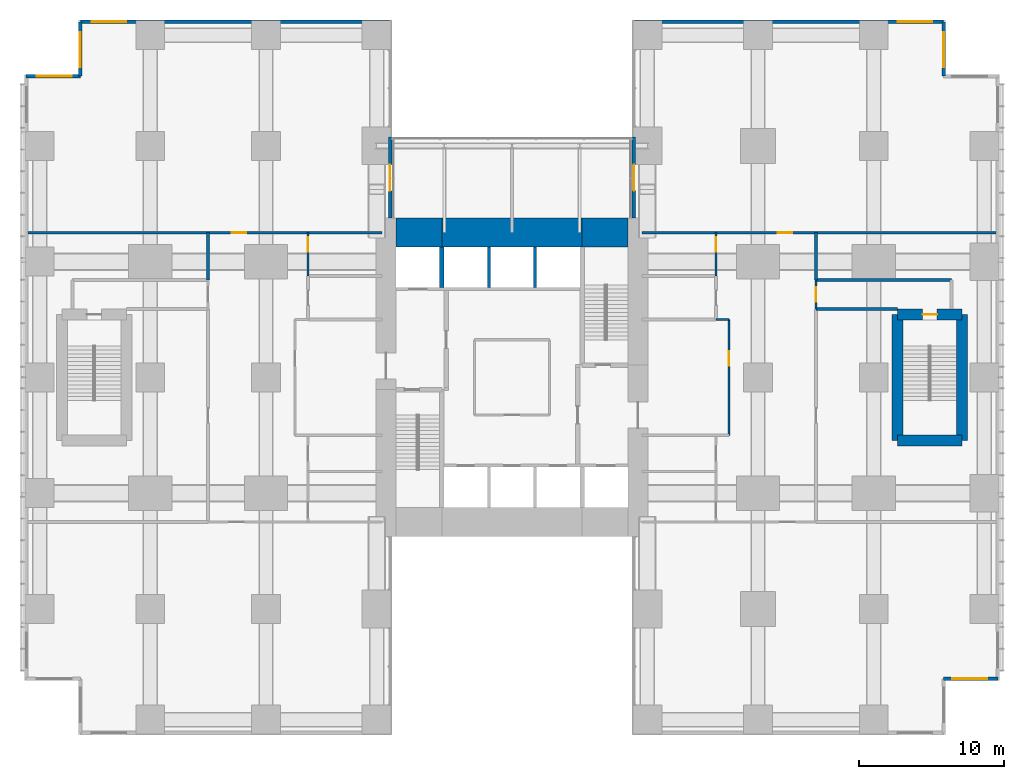
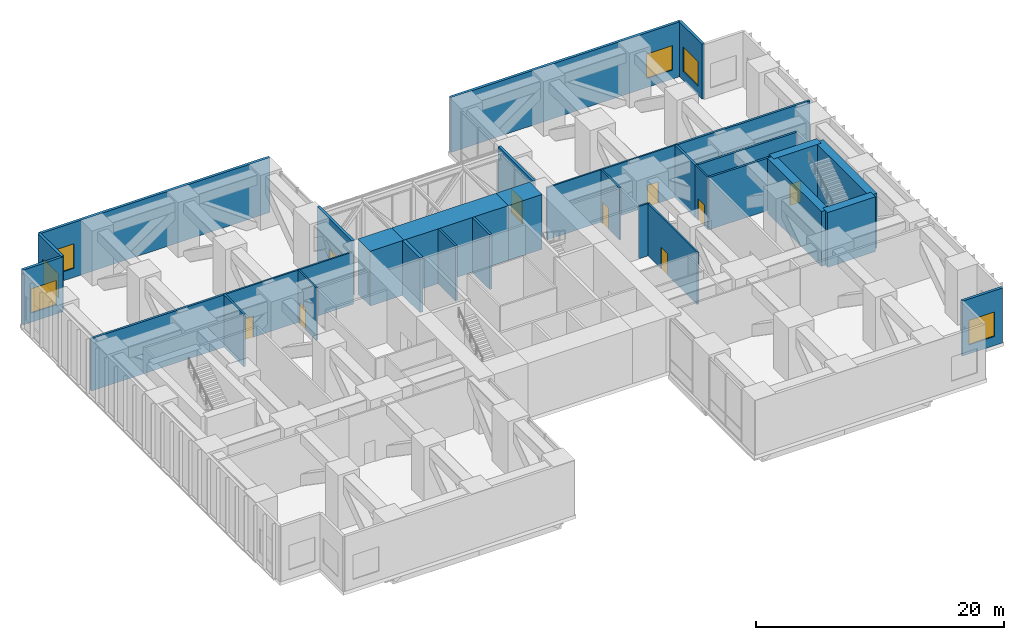
# One storey, part 15 of 17: 31 walls, 9 doors, 6 windows, 15 openings.
"""IFC4 building model written with IfcOpenShell, lengths in metres."""

from ifc_helpers import new_model, si_unit, direction, frame, frame_2d, origin, place, context, subcontext, project, spatial, rectangle, extrude, material, layer, layer_set, type_object, element, fill, save


model = new_model("IFC4")

# Units and contexts
model_context = context("Model", 3, precision=1e-05, world=origin(), true_north=direction((0.0, 1.0)))
body_context = subcontext(model_context, "Body", "Model", "MODEL_VIEW")
ifc_project = project(units=[si_unit("LENGTHUNIT", "METRE"), si_unit("AREAUNIT", "SQUARE_METRE"), si_unit("VOLUMEUNIT", "CUBIC_METRE"), si_unit("PLANEANGLEUNIT", "RADIAN"), si_unit("MASSUNIT", "GRAM", prefix="KILO")], contexts=[model_context])

# Site, building, storey
site_placement = place(None, origin())
site = spatial("IfcSite", under=ifc_project, at=site_placement, CompositionType="ELEMENT")
building_placement = place(site_placement, origin())
building = spatial("IfcBuilding", under=site, at=building_placement, Name="Cleftline Residences", CompositionType="ELEMENT")
storey_placement = place(building_placement, frame((0.0, 0.0, 90.800048828125)))
storey = spatial("IfcBuildingStorey", under=building, at=storey_placement, Name="L23", CompositionType="ELEMENT", Elevation=90.800048828125)

# Walls
ifc_material_1 = material(Name="Concrete B70", Category="concrete")
ifc_layer_1 = layer(ifc_material_1, 2.0)
ifc_layer_set_1 = layer_set([ifc_layer_1], Name="CORE WALL 2000")
wall_type_1 = type_object("IfcWallType", Name="CORE WALL 2000", PredefinedType="SHEAR", material=ifc_layer_set_1)
wall_1_placement = place(storey_placement, frame((25.0, 34.0, 0.0), z_axis=(0.0, 0.0, 1.0), x_axis=(1.0, 0.0, 0.0)))
element("IfcWall", 1, at=wall_1_placement, inside=storey, type_object=wall_type_1, Name="Core wall N1", PredefinedType="SHEAR", context=body_context, shape_type="SweptSolid", body=[
    extrude(rectangle(XDim=3.14990234375, YDim=2.0, at=frame_2d((1.574951171875, 0.0))), origin(), (0.0, 0.0, 1.0), 5.39990234375),
])
wall_2_placement = place(storey_placement, frame((28.14990234375, 34.0, 0.0), z_axis=(0.0, 0.0, 1.0), x_axis=(1.0, 0.0, 0.0)))
element("IfcWall", 2, at=wall_2_placement, inside=storey, type_object=wall_type_1, Name="Core wall N2", PredefinedType="SHEAR", context=body_context, shape_type="SweptSolid", body=[
    extrude(rectangle(XDim=9.7001953125, YDim=2.0, at=frame_2d((4.85009765625, 0.0))), origin(), (0.0, 0.0, 1.0), 5.39990234375),
])
wall_3_placement = place(storey_placement, frame((37.85009765625, 34.0, 0.0), z_axis=(0.0, 0.0, 1.0), x_axis=(1.0, 0.0, 0.0)))
element("IfcWall", 3, at=wall_3_placement, inside=storey, type_object=wall_type_1, Name="Core wall N3", PredefinedType="SHEAR", context=body_context, shape_type="SweptSolid", body=[
    extrude(rectangle(XDim=3.14990234375, YDim=2.0, at=frame_2d((1.574951171875, 0.0))), origin(), (0.0, 0.0, 1.0), 5.39990234375),
])
ifc_material_2 = material(Name="Concrete B70", Category="concrete")
ifc_layer_2 = layer(ifc_material_2, 0.300048828125)
ifc_layer_set_2 = layer_set([ifc_layer_2], Name="CORE WALL 300")
wall_type_2 = type_object("IfcWallType", Name="CORE WALL 300", PredefinedType="SHEAR", material=ifc_layer_set_2)
wall_4_placement = place(storey_placement, frame((28.14990234375, 30.199951171875, 0.0), z_axis=(0.0, 0.0, 1.0), x_axis=(0.0, 1.0, 0.0)))
element("IfcWall", 4, at=wall_4_placement, inside=storey, type_object=wall_type_2, Name="Lift shaft wall", PredefinedType="SHEAR", context=body_context, shape_type="SweptSolid", body=[
    extrude(rectangle(XDim=2.800048828125, YDim=0.300048828125, at=frame_2d((1.39990234375, 0.0))), origin(), (0.0, 0.0, 1.0), 5.39990234375),
])

# Wall, opening, window
ifc_material_3 = material(Name="Rendered reinforced concrete blockwork", Category="masonry")
ifc_layer_3 = layer(ifc_material_3, 0.25)
ifc_layer_set_3 = layer_set([ifc_layer_3], Name="EXTERNAL WALL 250")
wall_type_3 = type_object("IfcWallType", Name="EXTERNAL WALL 250", PredefinedType="SOLIDWALL", material=ifc_layer_set_3)
wall_5_placement = place(storey_placement, frame((62.824951171875, 3.175048828125, 0.0), z_axis=(0.0, 0.0, 1.0), x_axis=(1.0, 0.0, 0.0)))
wall_5 = element("IfcWall", 5, at=wall_5_placement, inside=storey, type_object=wall_type_3, Name="External wall", PredefinedType="SOLIDWALL", context=body_context, shape_type="SweptSolid", body=[
    extrude(rectangle(XDim=3.75, YDim=0.25, at=frame_2d((1.875, 0.0))), origin(), (0.0, 0.0, 1.0), 5.39990234375),
])
opening_1_placement = place(wall_5_placement, frame((0.612548828125, 0.0, 0.89990234375)))
opening_1 = element("IfcOpeningElement", 6, at=opening_1_placement, cuts=wall_5, Name="Opening W9", PredefinedType="OPENING", context=body_context, shape_type="SweptSolid", body=[
    extrude(rectangle(XDim=2.39990234375, YDim=2.39990234375, at=frame_2d((1.199951171875, 1.199951171875))), frame((0.0, 0.135009765625, 0.0), z_axis=(0.0, -1.0, 0.0), x_axis=(1.0, 0.0, 0.0)), (0.0, 0.0, 1.0), 0.27001953125),
])
ifc_material_4 = material(Name="Aluminium frame, clear double glazing", Category="aluminium")
window_type = type_object("IfcWindowType", Name="WINDOW 2400X2400", PartitioningType="DOUBLE_PANEL_VERTICAL", PredefinedType="WINDOW", material=ifc_material_4)
window_1_placement = place(opening_1_placement, origin())
window_1 = element("IfcWindow", 7, at=window_1_placement, inside=storey, type_object=window_type, Name="Window", OverallHeight=2.39990234375, OverallWidth=2.39990234375, PartitioningType="SINGLE_PANEL", PredefinedType="WINDOW", context=body_context, shape_type="SweptSolid", body=[
    extrude(rectangle(XDim=2.39990234375, YDim=2.39990234375, at=frame_2d((1.199951171875, 1.199951171875))), frame((0.0, 0.030029296875, 0.0), z_axis=(0.0, -1.0, 0.0), x_axis=(1.0, 0.0, 0.0)), (0.0, 0.0, 1.0), 0.06005859375),
])
fill(opening_1, window_1)

wall_6_placement = place(storey_placement, frame((62.824951171875, 44.824951171875, 0.0), z_axis=(0.0, 0.0, 1.0), x_axis=(0.0, 1.0, 0.0)))
wall_6 = element("IfcWall", 8, at=wall_6_placement, inside=storey, type_object=wall_type_3, Name="External wall", PredefinedType="SOLIDWALL", context=body_context, shape_type="SweptSolid", body=[
    extrude(rectangle(XDim=3.75, YDim=0.25, at=frame_2d((1.875, 0.0))), origin(), (0.0, 0.0, 1.0), 5.39990234375),
])
opening_2_placement = place(wall_6_placement, frame((0.612548828125, 0.0, 0.89990234375)))
opening_2 = element("IfcOpeningElement", 9, at=opening_2_placement, cuts=wall_6, Name="Opening W9", PredefinedType="OPENING", context=body_context, shape_type="SweptSolid", body=[
    extrude(rectangle(XDim=2.39990234375, YDim=2.39990234375, at=frame_2d((1.199951171875, 1.199951171875))), frame((0.0, 0.135009765625, 0.0), z_axis=(0.0, -1.0, 0.0), x_axis=(1.0, 0.0, 0.0)), (0.0, 0.0, 1.0), 0.27001953125),
])
window_2_placement = place(opening_2_placement, origin())
window_2 = element("IfcWindow", 10, at=window_2_placement, inside=storey, type_object=window_type, Name="Window", OverallHeight=2.39990234375, OverallWidth=2.39990234375, PartitioningType="SINGLE_PANEL", PredefinedType="WINDOW", context=body_context, shape_type="SweptSolid", body=[
    extrude(rectangle(XDim=2.39990234375, YDim=2.39990234375, at=frame_2d((1.199951171875, 1.199951171875))), frame((0.0, 0.030029296875, 0.0), z_axis=(0.0, -1.0, 0.0), x_axis=(1.0, 0.0, 0.0)), (0.0, 0.0, 1.0), 0.06005859375),
])
fill(opening_2, window_2)

wall_7_placement = place(storey_placement, frame((62.824951171875, 48.574951171875, 0.0), z_axis=(0.0, 0.0, 1.0), x_axis=(-1.0, 0.0, 0.0)))
wall_7 = element("IfcWall", 11, at=wall_7_placement, inside=storey, type_object=wall_type_3, Name="External wall", PredefinedType="SOLIDWALL", context=body_context, shape_type="SweptSolid", body=[
    extrude(rectangle(XDim=21.39990234375, YDim=0.25, at=frame_2d((10.699951171875, 0.0))), origin(), (0.0, 0.0, 1.0), 5.39990234375),
])
opening_3_placement = place(wall_7_placement, frame((0.77490234375, 0.0, 0.89990234375)))
opening_3 = element("IfcOpeningElement", 12, at=opening_3_placement, cuts=wall_7, Name="Opening W9", PredefinedType="OPENING", context=body_context, shape_type="SweptSolid", body=[
    extrude(rectangle(XDim=2.39990234375, YDim=2.39990234375, at=frame_2d((1.199951171875, 1.199951171875))), frame((0.0, 0.135009765625, 0.0), z_axis=(0.0, -1.0, 0.0), x_axis=(1.0, 0.0, 0.0)), (0.0, 0.0, 1.0), 0.27001953125),
])
window_3_placement = place(opening_3_placement, origin())
window_3 = element("IfcWindow", 13, at=window_3_placement, inside=storey, type_object=window_type, Name="Window", OverallHeight=2.39990234375, OverallWidth=2.39990234375, PartitioningType="SINGLE_PANEL", PredefinedType="WINDOW", context=body_context, shape_type="SweptSolid", body=[
    extrude(rectangle(XDim=2.39990234375, YDim=2.39990234375, at=frame_2d((1.199951171875, 1.199951171875))), frame((0.0, 0.030029296875, 0.0), z_axis=(0.0, -1.0, 0.0), x_axis=(1.0, 0.0, 0.0)), (0.0, 0.0, 1.0), 0.06005859375),
])
fill(opening_3, window_3)

# Wall, opening, door
wall_8_placement = place(storey_placement, frame((41.425048828125, 40.60009765625, 0.0), z_axis=(0.0, 0.0, 1.0), x_axis=(0.0, -1.0, 0.0)))
wall_8 = element("IfcWall", 14, at=wall_8_placement, inside=storey, type_object=wall_type_3, Name="External wall", PredefinedType="SOLIDWALL", context=body_context, shape_type="SweptSolid", body=[
    extrude(rectangle(XDim=5.60009765625, YDim=0.25, at=frame_2d((2.800048828125, 0.0))), origin(), (0.0, 0.0, 1.0), 5.39990234375),
])
opening_4_placement = place(wall_8_placement, frame((1.89990234375, 0.0, 0.0)))
opening_4 = element("IfcOpeningElement", 15, at=opening_4_placement, cuts=wall_8, Name="Opening DB1", PredefinedType="OPENING", context=body_context, shape_type="SweptSolid", body=[
    extrude(rectangle(XDim=1.800048828125, YDim=2.39990234375, at=frame_2d((0.89990234375, 1.199951171875))), frame((0.0, 0.135009765625, 0.0), z_axis=(0.0, -1.0, 0.0), x_axis=(1.0, 0.0, 0.0)), (0.0, 0.0, 1.0), 0.27001953125),
])
ifc_material_5 = material(Name="Steel and glass, fire rated", Category="steel")
door_type_1 = type_object("IfcDoorType", Name="BRIDGE DOOR 1800X2400", OperationType="DOUBLE_DOOR_DOUBLE_SWING", PredefinedType="DOOR", material=ifc_material_5)
door_1_placement = place(opening_4_placement, origin())
door_1 = element("IfcDoor", 16, at=door_1_placement, inside=storey, type_object=door_type_1, Name="Sky bridge door", OperationType="DOUBLE_DOOR_DOUBLE_SWING", OverallHeight=2.39990234375, OverallWidth=1.800048828125, PredefinedType="DOOR", context=body_context, shape_type="SweptSolid", body=[
    extrude(rectangle(XDim=1.800048828125, YDim=2.39990234375, at=frame_2d((0.89990234375, 1.199951171875))), frame((0.0, 0.02490234375, 0.0), z_axis=(0.0, -1.0, 0.0), x_axis=(1.0, 0.0, 0.0)), (0.0, 0.0, 1.0), 0.050048828125),
])
fill(opening_4, door_1)

wall_9_placement = place(storey_placement, frame((24.574951171875, 35.0, 0.0), z_axis=(0.0, 0.0, 1.0), x_axis=(0.0, 1.0, 0.0)))
wall_9 = element("IfcWall", 17, at=wall_9_placement, inside=storey, type_object=wall_type_3, Name="External wall", PredefinedType="SOLIDWALL", context=body_context, shape_type="SweptSolid", body=[
    extrude(rectangle(XDim=5.60009765625, YDim=0.25, at=frame_2d((2.800048828125, 0.0))), origin(), (0.0, 0.0, 1.0), 5.39990234375),
])
opening_5_placement = place(wall_9_placement, frame((1.89990234375, 0.0, 0.0)))
opening_5 = element("IfcOpeningElement", 18, at=opening_5_placement, cuts=wall_9, Name="Opening DB1", PredefinedType="OPENING", context=body_context, shape_type="SweptSolid", body=[
    extrude(rectangle(XDim=1.800048828125, YDim=2.39990234375, at=frame_2d((0.89990234375, 1.199951171875))), frame((0.0, 0.135009765625, 0.0), z_axis=(0.0, -1.0, 0.0), x_axis=(1.0, 0.0, 0.0)), (0.0, 0.0, 1.0), 0.27001953125),
])
door_2_placement = place(opening_5_placement, origin())
door_2 = element("IfcDoor", 19, at=door_2_placement, inside=storey, type_object=door_type_1, Name="Sky bridge door", OperationType="DOUBLE_DOOR_DOUBLE_SWING", OverallHeight=2.39990234375, OverallWidth=1.800048828125, PredefinedType="DOOR", context=body_context, shape_type="SweptSolid", body=[
    extrude(rectangle(XDim=1.800048828125, YDim=2.39990234375, at=frame_2d((0.89990234375, 1.199951171875))), frame((0.0, 0.02490234375, 0.0), z_axis=(0.0, -1.0, 0.0), x_axis=(1.0, 0.0, 0.0)), (0.0, 0.0, 1.0), 0.050048828125),
])
fill(opening_5, door_2)

# Wall, opening, window
wall_10_placement = place(storey_placement, frame((24.574951171875, 48.574951171875, 0.0), z_axis=(0.0, 0.0, 1.0), x_axis=(-1.0, 0.0, 0.0)))
wall_10 = element("IfcWall", 20, at=wall_10_placement, inside=storey, type_object=wall_type_3, Name="External wall", PredefinedType="SOLIDWALL", context=body_context, shape_type="SweptSolid", body=[
    extrude(rectangle(XDim=21.39990234375, YDim=0.25, at=frame_2d((10.699951171875, 0.0))), origin(), (0.0, 0.0, 1.0), 5.39990234375),
])
opening_6_placement = place(wall_10_placement, frame((18.22509765625, 0.0, 0.89990234375)))
opening_6 = element("IfcOpeningElement", 21, at=opening_6_placement, cuts=wall_10, Name="Opening W9", PredefinedType="OPENING", context=body_context, shape_type="SweptSolid", body=[
    extrude(rectangle(XDim=2.39990234375, YDim=2.39990234375, at=frame_2d((1.199951171875, 1.199951171875))), frame((0.0, 0.135009765625, 0.0), z_axis=(0.0, -1.0, 0.0), x_axis=(1.0, 0.0, 0.0)), (0.0, 0.0, 1.0), 0.27001953125),
])
window_4_placement = place(opening_6_placement, origin())
window_4 = element("IfcWindow", 22, at=window_4_placement, inside=storey, type_object=window_type, Name="Window", OverallHeight=2.39990234375, OverallWidth=2.39990234375, PartitioningType="SINGLE_PANEL", PredefinedType="WINDOW", context=body_context, shape_type="SweptSolid", body=[
    extrude(rectangle(XDim=2.39990234375, YDim=2.39990234375, at=frame_2d((1.199951171875, 1.199951171875))), frame((0.0, 0.030029296875, 0.0), z_axis=(0.0, -1.0, 0.0), x_axis=(1.0, 0.0, 0.0)), (0.0, 0.0, 1.0), 0.06005859375),
])
fill(opening_6, window_4)

wall_11_placement = place(storey_placement, frame((3.175048828125, 48.574951171875, 0.0), z_axis=(0.0, 0.0, 1.0), x_axis=(0.0, -1.0, 0.0)))
wall_11 = element("IfcWall", 23, at=wall_11_placement, inside=storey, type_object=wall_type_3, Name="External wall", PredefinedType="SOLIDWALL", context=body_context, shape_type="SweptSolid", body=[
    extrude(rectangle(XDim=3.75, YDim=0.25, at=frame_2d((1.875, 0.0))), origin(), (0.0, 0.0, 1.0), 5.39990234375),
])
opening_7_placement = place(wall_11_placement, frame((0.737548828125, 0.0, 0.89990234375)))
opening_7 = element("IfcOpeningElement", 24, at=opening_7_placement, cuts=wall_11, Name="Opening W9", PredefinedType="OPENING", context=body_context, shape_type="SweptSolid", body=[
    extrude(rectangle(XDim=2.39990234375, YDim=2.39990234375, at=frame_2d((1.199951171875, 1.199951171875))), frame((0.0, 0.135009765625, 0.0), z_axis=(0.0, -1.0, 0.0), x_axis=(1.0, 0.0, 0.0)), (0.0, 0.0, 1.0), 0.27001953125),
])
window_5_placement = place(opening_7_placement, origin())
window_5 = element("IfcWindow", 25, at=window_5_placement, inside=storey, type_object=window_type, Name="Window", OverallHeight=2.39990234375, OverallWidth=2.39990234375, PartitioningType="SINGLE_PANEL", PredefinedType="WINDOW", context=body_context, shape_type="SweptSolid", body=[
    extrude(rectangle(XDim=2.39990234375, YDim=2.39990234375, at=frame_2d((1.199951171875, 1.199951171875))), frame((0.0, 0.030029296875, 0.0), z_axis=(0.0, -1.0, 0.0), x_axis=(1.0, 0.0, 0.0)), (0.0, 0.0, 1.0), 0.06005859375),
])
fill(opening_7, window_5)

wall_12_placement = place(storey_placement, frame((3.175048828125, 44.824951171875, 0.0), z_axis=(0.0, 0.0, 1.0), x_axis=(-1.0, 0.0, 0.0)))
wall_12 = element("IfcWall", 26, at=wall_12_placement, inside=storey, type_object=wall_type_3, Name="External wall", PredefinedType="SOLIDWALL", context=body_context, shape_type="SweptSolid", body=[
    extrude(rectangle(XDim=3.75, YDim=0.25, at=frame_2d((1.875, 0.0))), origin(), (0.0, 0.0, 1.0), 5.39990234375),
])
opening_8_placement = place(wall_12_placement, frame((0.612548828125, 0.0, 0.89990234375)))
opening_8 = element("IfcOpeningElement", 27, at=opening_8_placement, cuts=wall_12, Name="Opening W9", PredefinedType="OPENING", context=body_context, shape_type="SweptSolid", body=[
    extrude(rectangle(XDim=2.39990234375, YDim=2.39990234375, at=frame_2d((1.199951171875, 1.199951171875))), frame((0.0, 0.135009765625, 0.0), z_axis=(0.0, -1.0, 0.0), x_axis=(1.0, 0.0, 0.0)), (0.0, 0.0, 1.0), 0.27001953125),
])
window_6_placement = place(opening_8_placement, origin())
window_6 = element("IfcWindow", 28, at=window_6_placement, inside=storey, type_object=window_type, Name="Window", OverallHeight=2.39990234375, OverallWidth=2.39990234375, PartitioningType="SINGLE_PANEL", PredefinedType="WINDOW", context=body_context, shape_type="SweptSolid", body=[
    extrude(rectangle(XDim=2.39990234375, YDim=2.39990234375, at=frame_2d((1.199951171875, 1.199951171875))), frame((0.0, 0.030029296875, 0.0), z_axis=(0.0, -1.0, 0.0), x_axis=(1.0, 0.0, 0.0)), (0.0, 0.0, 1.0), 0.06005859375),
])
fill(opening_8, window_6)

# Walls
ifc_material_6 = material(Name="Concrete blockwork, fire rated", Category="masonry")
ifc_layer_4 = layer(ifc_material_6, 0.199951171875)
ifc_layer_set_4 = layer_set([ifc_layer_4], Name="FIRE WALL 200")
wall_type_4 = type_object("IfcWallType", Name="FIRE WALL 200", PredefinedType="PARTITIONING", material=ifc_layer_set_4)
wall_13_placement = place(storey_placement, frame((54.0, 28.72509765625, 0.0), z_axis=(0.0, 0.0, 1.0), x_axis=(1.0, 0.0, 0.0)))
element("IfcWall", 29, at=wall_13_placement, inside=storey, type_object=wall_type_4, Name="Fire separating wall", PredefinedType="PARTITIONING", context=body_context, shape_type="SweptSolid", body=[
    extrude(rectangle(XDim=5.64990234375, YDim=0.199951171875, at=frame_2d((2.824951171875, 0.0))), origin(), (0.0, 0.0, 1.0), 5.14990234375),
])
wall_14_placement = place(storey_placement, frame((54.0, 30.72509765625, 0.0), z_axis=(0.0, 0.0, 1.0), x_axis=(1.0, 0.0, 0.0)))
element("IfcWall", 30, at=wall_14_placement, inside=storey, type_object=wall_type_4, Name="Fire separating wall", PredefinedType="PARTITIONING", context=body_context, shape_type="SweptSolid", body=[
    extrude(rectangle(XDim=9.375, YDim=0.199951171875, at=frame_2d((4.6875, 0.0))), origin(), (0.0, 0.0, 1.0), 5.14990234375),
])
for number, where, z_axis, x_axis, name in (
    (31, (-0.449951171875, 34.0, 0.0), (0.0, 0.0, 1.0), (1.0, 0.0, 0.0), "Fire separating wall"),
    (32, (54.0, 34.0, 0.0), (0.0, 0.0, 1.0), (1.0, 0.0, 0.0), "Fire separating wall"),
):
    element("IfcWall", number, at=place(storey_placement, frame(where, z_axis=z_axis, x_axis=x_axis)), inside=storey, type_object=wall_type_4, Name=name, PredefinedType="PARTITIONING", context=body_context, shape_type="SweptSolid", body=[
        extrude(rectangle(XDim=12.449951171875, YDim=0.199951171875, at=frame_2d((6.22509765625, 0.0))), origin(), (0.0, 0.0, 1.0), 5.14990234375),
    ])
for number, where, z_axis, x_axis, name in (
    (33, (12.0, 30.72509765625, 0.0), (0.0, 0.0, 1.0), (0.0, 1.0, 0.0), "Fire separating wall"),
    (34, (54.0, 30.72509765625, 0.0), (0.0, 0.0, 1.0), (0.0, 1.0, 0.0), "Fire separating wall"),
):
    element("IfcWall", number, at=place(storey_placement, frame(where, z_axis=z_axis, x_axis=x_axis)), inside=storey, type_object=wall_type_4, Name=name, PredefinedType="PARTITIONING", context=body_context, shape_type="SweptSolid", body=[
        extrude(rectangle(XDim=3.27490234375, YDim=0.199951171875, at=frame_2d((1.637451171875, 0.0))), origin(), (0.0, 0.0, 1.0), 5.14990234375),
    ])
ifc_material_7 = material(Name="Gypsum board on steel studs", Category="steel")
ifc_layer_5 = layer(ifc_material_7, 0.14990234375)
ifc_layer_set_5 = layer_set([ifc_layer_5], Name="PARTITION 150")
wall_type_5 = type_object("IfcWallType", Name="PARTITION 150", PredefinedType="PARTITIONING", material=ifc_layer_set_5)
wall_15_placement = place(storey_placement, frame((47.10009765625, 28.0, 0.0), z_axis=(0.0, 0.0, 1.0), x_axis=(1.0, 0.0, 0.0)))
element("IfcWall", 35, at=wall_15_placement, inside=storey, type_object=wall_type_5, Name="Partition", PredefinedType="PARTITIONING", context=body_context, shape_type="SweptSolid", body=[
    extrude(rectangle(XDim=0.89990234375, YDim=0.14990234375, at=frame_2d((0.449951171875, 0.0))), origin(), (0.0, 0.0, 1.0), 5.14990234375),
])

# Wall, opening, door
wall_16_placement = place(storey_placement, frame((12.0, 34.0, 0.0), z_axis=(0.0, 0.0, 1.0), x_axis=(1.0, 0.0, 0.0)))
wall_16 = element("IfcWall", 36, at=wall_16_placement, inside=storey, type_object=wall_type_5, Name="Partition", PredefinedType="PARTITIONING", context=body_context, shape_type="SweptSolid", body=[
    extrude(rectangle(XDim=12.0, YDim=0.14990234375, at=frame_2d((6.0, 0.0))), origin(), (0.0, 0.0, 1.0), 5.14990234375),
])
opening_9_placement = place(wall_16_placement, frame((1.64990234375, 0.0, 0.0)))
opening_9 = element("IfcOpeningElement", 37, at=opening_9_placement, cuts=wall_16, Name="Opening D2F60", PredefinedType="OPENING", context=body_context, shape_type="SweptSolid", body=[
    extrude(rectangle(XDim=1.0, YDim=2.10009765625, at=frame_2d((0.5, 1.050048828125))), frame((0.0, 0.0849609375, 0.0), z_axis=(0.0, -1.0, 0.0), x_axis=(1.0, 0.0, 0.0)), (0.0, 0.0, 1.0), 0.169921875),
])
ifc_material_8 = material(Name="Timber veneer on solid core", Category="wood")
door_type_2 = type_object("IfcDoorType", Name="DOOR 1000X2100 EI 60", OperationType="SINGLE_SWING_LEFT", PredefinedType="DOOR", material=ifc_material_8)
door_3_placement = place(opening_9_placement, origin())
door_3 = element("IfcDoor", 38, at=door_3_placement, inside=storey, type_object=door_type_2, Name="Door to refuge area", OperationType="SINGLE_SWING_RIGHT", OverallHeight=2.10009765625, OverallWidth=1.0, PredefinedType="DOOR", context=body_context, shape_type="SweptSolid", body=[
    extrude(rectangle(XDim=1.0, YDim=2.10009765625, at=frame_2d((0.5, 1.050048828125))), frame((0.0, 0.02490234375, 0.0), z_axis=(0.0, -1.0, 0.0), x_axis=(1.0, 0.0, 0.0)), (0.0, 0.0, 1.0), 0.050048828125),
])
fill(opening_9, door_3)

wall_17_placement = place(storey_placement, frame((42.0, 34.0, 0.0), z_axis=(0.0, 0.0, 1.0), x_axis=(1.0, 0.0, 0.0)))
wall_17 = element("IfcWall", 39, at=wall_17_placement, inside=storey, type_object=wall_type_5, Name="Partition", PredefinedType="PARTITIONING", context=body_context, shape_type="SweptSolid", body=[
    extrude(rectangle(XDim=12.0, YDim=0.14990234375, at=frame_2d((6.0, 0.0))), origin(), (0.0, 0.0, 1.0), 5.14990234375),
])
opening_10_placement = place(wall_17_placement, frame((9.35009765625, 0.0, 0.0)))
opening_10 = element("IfcOpeningElement", 40, at=opening_10_placement, cuts=wall_17, Name="Opening D2F60", PredefinedType="OPENING", context=body_context, shape_type="SweptSolid", body=[
    extrude(rectangle(XDim=1.0, YDim=2.10009765625, at=frame_2d((0.5, 1.050048828125))), frame((0.0, 0.0849609375, 0.0), z_axis=(0.0, -1.0, 0.0), x_axis=(1.0, 0.0, 0.0)), (0.0, 0.0, 1.0), 0.169921875),
])
door_4_placement = place(opening_10_placement, origin())
door_4 = element("IfcDoor", 41, at=door_4_placement, inside=storey, type_object=door_type_2, Name="Door to refuge area", OperationType="SINGLE_SWING_LEFT", OverallHeight=2.10009765625, OverallWidth=1.0, PredefinedType="DOOR", context=body_context, shape_type="SweptSolid", body=[
    extrude(rectangle(XDim=1.0, YDim=2.10009765625, at=frame_2d((0.5, 1.050048828125))), frame((0.0, 0.02490234375, 0.0), z_axis=(0.0, -1.0, 0.0), x_axis=(1.0, 0.0, 0.0)), (0.0, 0.0, 1.0), 0.050048828125),
])
fill(opening_10, door_4)

wall_18_placement = place(storey_placement, frame((18.89990234375, 31.0, 0.0), z_axis=(0.0, 0.0, 1.0), x_axis=(0.0, 1.0, 0.0)))
wall_18 = element("IfcWall", 42, at=wall_18_placement, inside=storey, type_object=wall_type_5, Name="Partition", PredefinedType="PARTITIONING", context=body_context, shape_type="SweptSolid", body=[
    extrude(rectangle(XDim=3.0, YDim=0.14990234375, at=frame_2d((1.5, 0.0))), origin(), (0.0, 0.0, 1.0), 5.14990234375),
])
opening_11_placement = place(wall_18_placement, frame((1.699951171875, 0.0, 0.0)))
opening_11 = element("IfcOpeningElement", 43, at=opening_11_placement, cuts=wall_18, Name="Opening D2F60", PredefinedType="OPENING", context=body_context, shape_type="SweptSolid", body=[
    extrude(rectangle(XDim=1.0, YDim=2.10009765625, at=frame_2d((0.5, 1.050048828125))), frame((0.0, 0.0849609375, 0.0), z_axis=(0.0, -1.0, 0.0), x_axis=(1.0, 0.0, 0.0)), (0.0, 0.0, 1.0), 0.169921875),
])
door_5_placement = place(opening_11_placement, origin())
door_5 = element("IfcDoor", 44, at=door_5_placement, inside=storey, type_object=door_type_2, Name="Door to communications room", OperationType="SINGLE_SWING_LEFT", OverallHeight=2.10009765625, OverallWidth=1.0, PredefinedType="DOOR", context=body_context, shape_type="SweptSolid", body=[
    extrude(rectangle(XDim=1.0, YDim=2.10009765625, at=frame_2d((0.5, 1.050048828125))), frame((0.0, 0.02490234375, 0.0), z_axis=(0.0, -1.0, 0.0), x_axis=(1.0, 0.0, 0.0)), (0.0, 0.0, 1.0), 0.050048828125),
])
fill(opening_11, door_5)

wall_19_placement = place(storey_placement, frame((47.10009765625, 31.0, 0.0), z_axis=(0.0, 0.0, 1.0), x_axis=(0.0, 1.0, 0.0)))
wall_19 = element("IfcWall", 45, at=wall_19_placement, inside=storey, type_object=wall_type_5, Name="Partition", PredefinedType="PARTITIONING", context=body_context, shape_type="SweptSolid", body=[
    extrude(rectangle(XDim=3.0, YDim=0.14990234375, at=frame_2d((1.5, 0.0))), origin(), (0.0, 0.0, 1.0), 5.14990234375),
])
opening_12_placement = place(wall_19_placement, frame((1.699951171875, 0.0, 0.0)))
opening_12 = element("IfcOpeningElement", 46, at=opening_12_placement, cuts=wall_19, Name="Opening D2F60", PredefinedType="OPENING", context=body_context, shape_type="SweptSolid", body=[
    extrude(rectangle(XDim=1.0, YDim=2.10009765625, at=frame_2d((0.5, 1.050048828125))), frame((0.0, 0.0849609375, 0.0), z_axis=(0.0, -1.0, 0.0), x_axis=(1.0, 0.0, 0.0)), (0.0, 0.0, 1.0), 0.169921875),
])
door_6_placement = place(opening_12_placement, origin())
door_6 = element("IfcDoor", 47, at=door_6_placement, inside=storey, type_object=door_type_2, Name="Door to communications room", OperationType="SINGLE_SWING_LEFT", OverallHeight=2.10009765625, OverallWidth=1.0, PredefinedType="DOOR", context=body_context, shape_type="SweptSolid", body=[
    extrude(rectangle(XDim=1.0, YDim=2.10009765625, at=frame_2d((0.5, 1.050048828125))), frame((0.0, 0.02490234375, 0.0), z_axis=(0.0, -1.0, 0.0), x_axis=(1.0, 0.0, 0.0)), (0.0, 0.0, 1.0), 0.050048828125),
])
fill(opening_12, door_6)

wall_20_placement = place(storey_placement, frame((48.0, 20.0, 0.0), z_axis=(0.0, 0.0, 1.0), x_axis=(0.0, 1.0, 0.0)))
wall_20 = element("IfcWall", 48, at=wall_20_placement, inside=storey, type_object=wall_type_5, Name="Partition", PredefinedType="PARTITIONING", context=body_context, shape_type="SweptSolid", body=[
    extrude(rectangle(XDim=8.0, YDim=0.14990234375, at=frame_2d((4.0, 0.0))), origin(), (0.0, 0.0, 1.0), 5.14990234375),
])
opening_13_placement = place(wall_20_placement, frame((4.800048828125, 0.0, 0.0)))
opening_13 = element("IfcOpeningElement", 49, at=opening_13_placement, cuts=wall_20, Name="Opening D2F30", PredefinedType="OPENING", context=body_context, shape_type="SweptSolid", body=[
    extrude(rectangle(XDim=1.0, YDim=2.10009765625, at=frame_2d((0.5, 1.050048828125))), frame((0.0, 0.0849609375, 0.0), z_axis=(0.0, -1.0, 0.0), x_axis=(1.0, 0.0, 0.0)), (0.0, 0.0, 1.0), 0.169921875),
])
ifc_material_9 = material(Name="Timber veneer on solid core", Category="wood")
door_type_3 = type_object("IfcDoorType", Name="DOOR 1000X2100 EI 30", OperationType="SINGLE_SWING_LEFT", PredefinedType="DOOR", material=ifc_material_9)
door_7_placement = place(opening_13_placement, origin())
door_7 = element("IfcDoor", 50, at=door_7_placement, inside=storey, type_object=door_type_3, Name="Door to corridor", OperationType="SINGLE_SWING_LEFT", OverallHeight=2.10009765625, OverallWidth=1.0, PredefinedType="DOOR", context=body_context, shape_type="SweptSolid", body=[
    extrude(rectangle(XDim=1.0, YDim=2.10009765625, at=frame_2d((0.5, 1.050048828125))), frame((0.0, 0.02490234375, 0.0), z_axis=(0.0, -1.0, 0.0), x_axis=(1.0, 0.0, 0.0)), (0.0, 0.0, 1.0), 0.050048828125),
])
fill(opening_13, door_7)

wall_21_placement = place(storey_placement, frame((54.0, 28.72509765625, 0.0), z_axis=(0.0, 0.0, 1.0), x_axis=(0.0, 1.0, 0.0)))
wall_21 = element("IfcWall", 51, at=wall_21_placement, inside=storey, type_object=wall_type_5, Name="Partition", PredefinedType="PARTITIONING", context=body_context, shape_type="SweptSolid", body=[
    extrude(rectangle(XDim=2.0, YDim=0.14990234375, at=frame_2d((1.0, 0.0))), origin(), (0.0, 0.0, 1.0), 5.14990234375),
])
opening_14_placement = place(wall_21_placement, frame((0.5, 0.0, 0.0)))
opening_14 = element("IfcOpeningElement", 52, at=opening_14_placement, cuts=wall_21, Name="Opening D2F30", PredefinedType="OPENING", context=body_context, shape_type="SweptSolid", body=[
    extrude(rectangle(XDim=1.0, YDim=2.10009765625, at=frame_2d((0.5, 1.050048828125))), frame((0.0, 0.0849609375, 0.0), z_axis=(0.0, -1.0, 0.0), x_axis=(1.0, 0.0, 0.0)), (0.0, 0.0, 1.0), 0.169921875),
])
door_8_placement = place(opening_14_placement, origin())
door_8 = element("IfcDoor", 53, at=door_8_placement, inside=storey, type_object=door_type_3, Name="Door to stair lobby", OperationType="SINGLE_SWING_LEFT", OverallHeight=2.10009765625, OverallWidth=1.0, PredefinedType="DOOR", context=body_context, shape_type="SweptSolid", body=[
    extrude(rectangle(XDim=1.0, YDim=2.10009765625, at=frame_2d((0.5, 1.050048828125))), frame((0.0, 0.02490234375, 0.0), z_axis=(0.0, -1.0, 0.0), x_axis=(1.0, 0.0, 0.0)), (0.0, 0.0, 1.0), 0.050048828125),
])
fill(opening_14, door_8)

# Walls
ifc_material_10 = material(Name="Concrete blockwork, fire rated", Category="masonry")
ifc_layer_6 = layer(ifc_material_10, 0.199951171875)
ifc_layer_set_6 = layer_set([ifc_layer_6], Name="SHAFT WALL 200")
wall_type_6 = type_object("IfcWallType", Name="SHAFT WALL 200", PredefinedType="PARTITIONING", material=ifc_layer_set_6)
for number, where, z_axis, x_axis, name in (
    (54, (31.39990234375, 30.199951171875, 0.0), (0.0, 0.0, 1.0), (0.0, 1.0, 0.0), "Lift shaft wall"),
    (55, (34.60009765625, 30.199951171875, 0.0), (0.0, 0.0, 1.0), (0.0, 1.0, 0.0), "Lift shaft wall"),
):
    element("IfcWall", number, at=place(storey_placement, frame(where, z_axis=z_axis, x_axis=x_axis)), inside=storey, type_object=wall_type_6, Name=name, PredefinedType="PARTITIONING", context=body_context, shape_type="SweptSolid", body=[
        extrude(rectangle(XDim=2.800048828125, YDim=0.199951171875, at=frame_2d((1.39990234375, 0.0))), origin(), (0.0, 0.0, 1.0), 5.39990234375),
    ])
ifc_material_11 = material(Name="Concrete B70", Category="concrete")
ifc_layer_7 = layer(ifc_material_11, 0.75)
ifc_layer_set_7 = layer_set([ifc_layer_7], Name="SHEAR WALL 750")
wall_type_7 = type_object("IfcWallType", Name="SHEAR WALL 750", PredefinedType="SHEAR", material=ifc_layer_set_7)
wall_22_placement = place(storey_placement, frame((59.64990234375, 19.64990234375, 0.0), z_axis=(0.0, 0.0, 1.0), x_axis=(1.0, 0.0, 0.0)))
element("IfcWall", 56, at=wall_22_placement, inside=storey, type_object=wall_type_7, Name="Wing shear wall", PredefinedType="SHEAR", context=body_context, shape_type="SweptSolid", body=[
    extrude(rectangle(XDim=4.4501953125, YDim=0.75, at=frame_2d((2.22509765625, 0.0))), origin(), (0.0, 0.0, 1.0), 5.39990234375),
])
wall_23_placement = place(storey_placement, frame((64.10009765625, 19.64990234375, 0.0), z_axis=(0.0, 0.0, 1.0), x_axis=(0.0, 1.0, 0.0)))
element("IfcWall", 57, at=wall_23_placement, inside=storey, type_object=wall_type_7, Name="Wing shear wall", PredefinedType="SHEAR", context=body_context, shape_type="SweptSolid", body=[
    extrude(rectangle(XDim=8.7001953125, YDim=0.75, at=frame_2d((4.35009765625, 0.0))), origin(), (0.0, 0.0, 1.0), 5.39990234375),
])

# Wall, opening, door
wall_24_placement = place(storey_placement, frame((64.10009765625, 28.35009765625, 0.0), z_axis=(0.0, 0.0, 1.0), x_axis=(-1.0, 0.0, 0.0)))
wall_24 = element("IfcWall", 58, at=wall_24_placement, inside=storey, type_object=wall_type_7, Name="Wing shear wall", PredefinedType="SHEAR", context=body_context, shape_type="SweptSolid", body=[
    extrude(rectangle(XDim=4.4501953125, YDim=0.75, at=frame_2d((2.22509765625, 0.0))), origin(), (0.0, 0.0, 1.0), 5.39990234375),
])
opening_15_placement = place(wall_24_placement, frame((1.72509765625, 0.0, 0.0)))
opening_15 = element("IfcOpeningElement", 59, at=opening_15_placement, cuts=wall_24, Name="Opening D5", PredefinedType="OPENING", context=body_context, shape_type="SweptSolid", body=[
    extrude(rectangle(XDim=1.0, YDim=2.10009765625, at=frame_2d((0.5, 1.050048828125))), frame((0.0, 0.385009765625, 0.0), z_axis=(0.0, -1.0, 0.0), x_axis=(1.0, 0.0, 0.0)), (0.0, 0.0, 1.0), 0.77001953125),
])
ifc_material_12 = material(Name="Steel", Category="steel")
door_type_4 = type_object("IfcDoorType", Name="STAIR DOOR 1000X2100", OperationType="SINGLE_SWING_LEFT", PredefinedType="DOOR", material=ifc_material_12)
door_9_placement = place(opening_15_placement, origin())
door_9 = element("IfcDoor", 60, at=door_9_placement, inside=storey, type_object=door_type_4, Name="Stair E door", OperationType="SINGLE_SWING_LEFT", OverallHeight=2.10009765625, OverallWidth=1.0, PredefinedType="DOOR", context=body_context, shape_type="SweptSolid", body=[
    extrude(rectangle(XDim=1.0, YDim=2.10009765625, at=frame_2d((0.5, 1.050048828125))), frame((0.0, 0.02490234375, 0.0), z_axis=(0.0, -1.0, 0.0), x_axis=(1.0, 0.0, 0.0)), (0.0, 0.0, 1.0), 0.050048828125),
])
fill(opening_15, door_9)

# Wall
wall_25_placement = place(storey_placement, frame((59.64990234375, 28.35009765625, 0.0), z_axis=(0.0, 0.0, 1.0), x_axis=(0.0, -1.0, 0.0)))
element("IfcWall", 61, at=wall_25_placement, inside=storey, type_object=wall_type_7, Name="Wing shear wall", PredefinedType="SHEAR", context=body_context, shape_type="SweptSolid", body=[
    extrude(rectangle(XDim=8.7001953125, YDim=0.75, at=frame_2d((4.35009765625, 0.0))), origin(), (0.0, 0.0, 1.0), 5.39990234375),
])

save(model, "model.ifc")
